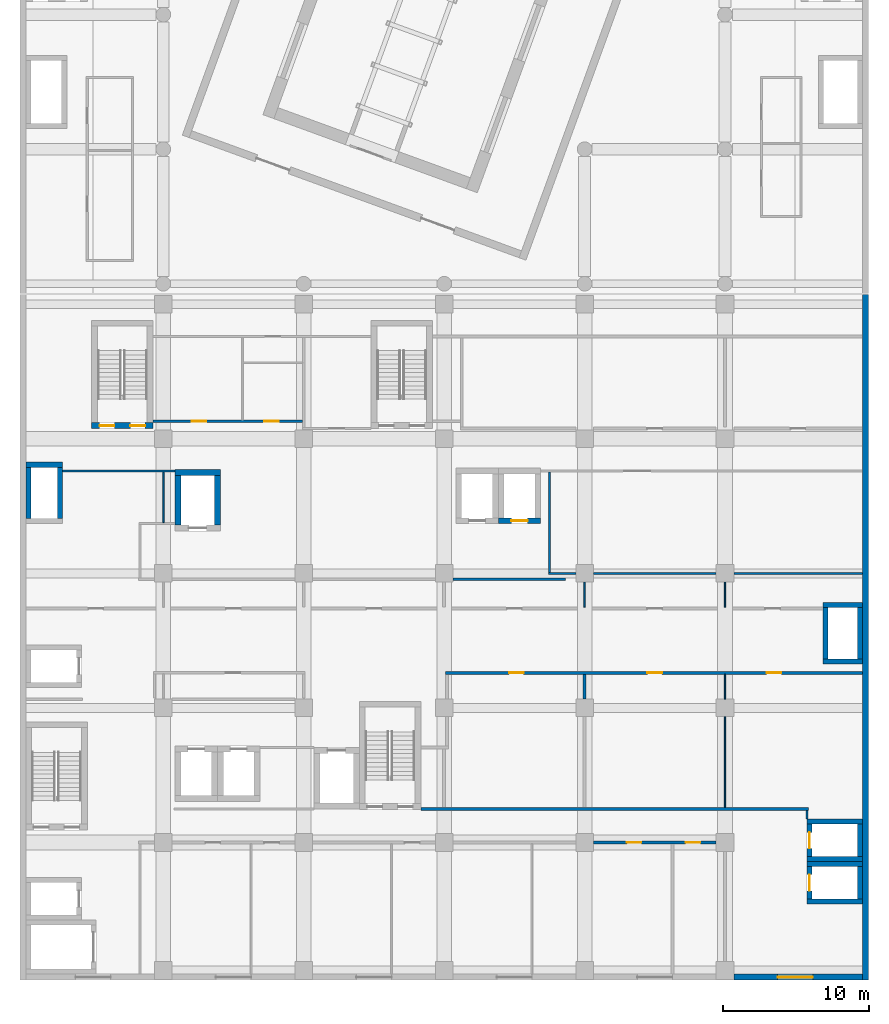
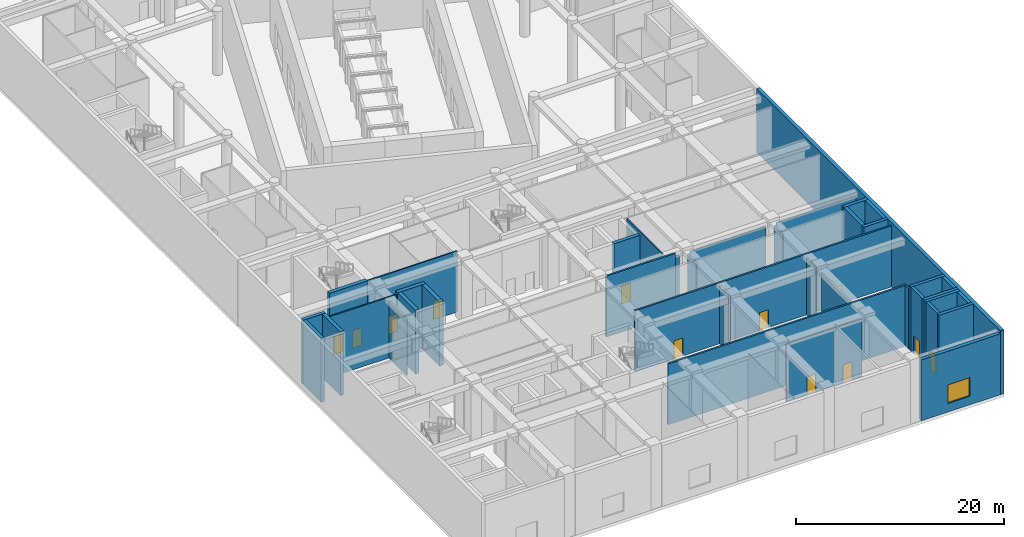
# One storey, part 15 of 36: 39 walls, 12 doors, 1 window, 13 openings.
"""IFC4 building model written with IfcOpenShell, lengths in metres."""

from ifc_helpers import new_model, si_unit, direction, frame, frame_2d, origin, place, context, subcontext, project, spatial, rectangle, extrude, material, layer, layer_set, layer_usage, type_object, element, fill, save


model = new_model("IFC4")

# Units and contexts
model_context = context("Model", 3, precision=1e-05, world=origin(), true_north=direction((0.0, 1.0)))
body_context = subcontext(model_context, "Body", "Model", "MODEL_VIEW")
ifc_project = project(units=[si_unit("LENGTHUNIT", "METRE"), si_unit("AREAUNIT", "SQUARE_METRE"), si_unit("VOLUMEUNIT", "CUBIC_METRE"), si_unit("PLANEANGLEUNIT", "RADIAN"), si_unit("MASSUNIT", "GRAM", prefix="KILO")], contexts=[model_context])

# Site, building, storey
site_placement = place(None, origin())
site = spatial("IfcSite", under=ifc_project, at=site_placement, CompositionType="ELEMENT")
building_placement = place(site_placement, origin())
building = spatial("IfcBuilding", under=site, at=building_placement, Name="Nzadi Deep Aquarium and Research Tower", CompositionType="ELEMENT")
storey_placement = place(building_placement, frame((0.0, 0.0, 14.199951171875)))
storey = spatial("IfcBuildingStorey", under=building, at=storey_placement, Name="L02", CompositionType="ELEMENT", Elevation=14.199951171875)

# Walls
ifc_material_1 = material(Name="Blockwork masonry", Category="masonry")
ifc_layer_1 = layer(ifc_material_1, 0.10009765625)
ifc_layer_set_1 = layer_set([ifc_layer_1], Name="Blockwork masonry")
wall_type_1 = type_object("IfcWallType", Name="Partition 100 EI 30", PredefinedType="PARTITIONING", material=ifc_layer_set_1)
wall_1_placement = place(storey_placement, frame((9.60009765625, 31.074951171875, 0.0), z_axis=(0.0, 0.0, 1.0), x_axis=(0.0, 1.0, 0.0)))
element("IfcWall", 1, at=wall_1_placement, inside=storey, type_object=wall_type_1, Name="W-Z1-L02-P015", PredefinedType="PARTITIONING", context=body_context, shape_type="SweptSolid", body=[
    extrude(rectangle(XDim=3.449951171875, YDim=0.10009765625, at=frame_2d((1.72509765625, 0.0))), origin(), (0.0, 0.0, 1.0), 6.75),
])
wall_2_placement = place(storey_placement, frame((38.39990234375, 25.300048828125, 0.0), z_axis=(0.0, 0.0, 1.0), x_axis=(0.0, 1.0, 0.0)))
element("IfcWall", 2, at=wall_2_placement, inside=storey, type_object=wall_type_1, Name="W-Z1-L02-P050", PredefinedType="PARTITIONING", context=body_context, shape_type="SweptSolid", body=[
    extrude(rectangle(XDim=1.699951171875, YDim=0.10009765625, at=frame_2d((0.85009765625, 0.0))), origin(), (0.0, 0.0, 1.0), 6.75),
])
wall_3_placement = place(storey_placement, frame((48.0, 11.60009765625, 0.0), z_axis=(0.0, 0.0, 1.0), x_axis=(0.0, 1.0, 0.0)))
element("IfcWall", 3, at=wall_3_placement, inside=storey, type_object=wall_type_1, Name="W-Z1-L02-P057", PredefinedType="PARTITIONING", context=body_context, shape_type="SweptSolid", body=[
    extrude(rectangle(XDim=6.199951171875, YDim=0.10009765625, at=frame_2d((3.10009765625, 0.0))), origin(), (0.0, 0.0, 1.0), 6.75),
])
for number, where, z_axis, x_axis, name in (
    (4, (48.0, 19.0, 0.0), (0.0, 0.0, 1.0), (0.0, 1.0, 0.0), "W-Z1-L02-P058"),
    (5, (48.0, 25.300048828125, 0.0), (0.0, 0.0, 1.0), (0.0, 1.0, 0.0), "W-Z1-L02-P059"),
):
    element("IfcWall", number, at=place(storey_placement, frame(where, z_axis=z_axis, x_axis=x_axis)), inside=storey, type_object=wall_type_1, Name=name, PredefinedType="PARTITIONING", context=body_context, shape_type="SweptSolid", body=[
        extrude(rectangle(XDim=1.699951171875, YDim=0.10009765625, at=frame_2d((0.85009765625, 0.0))), origin(), (0.0, 0.0, 1.0), 6.75),
    ])
ifc_material_2 = material(Name="Blockwork masonry", Category="masonry")
ifc_layer_2 = layer(ifc_material_2, 0.14990234375)
ifc_layer_set_2 = layer_set([ifc_layer_2], Name="Blockwork masonry")
wall_type_2 = type_object("IfcWallType", Name="Partition 150 EI 60", PredefinedType="PARTITIONING", material=ifc_layer_set_2)
wall_4_placement = place(storey_placement, frame((2.7060546875, 34.60009765625, 0.0), z_axis=(0.0, 0.0, 1.0), x_axis=(1.0, 0.0, 0.0)))
element("IfcWall", 6, at=wall_4_placement, inside=storey, type_object=wall_type_2, Name="W-Z1-L02-P003", PredefinedType="PARTITIONING", context=body_context, shape_type="SweptSolid", body=[
    extrude(rectangle(XDim=7.68798828125, YDim=0.14990234375, at=frame_2d((3.843994140625, 0.0))), origin(), (0.0, 0.0, 1.0), 7.150146484375),
])

# Wall, openings, doors
wall_5_placement = place(storey_placement, frame((8.906005859375, 38.0, 0.0), z_axis=(0.0, 0.0, 1.0), x_axis=(1.0, 0.0, 0.0)))
wall_5 = element("IfcWall", 7, at=wall_5_placement, inside=storey, type_object=wall_type_2, Name="W-Z1-L02-P009", PredefinedType="PARTITIONING", context=body_context, shape_type="SweptSolid", body=[
    extrude(rectangle(XDim=10.218994140625, YDim=0.14990234375, at=frame_2d((5.109375, 0.0))), origin(), (0.0, 0.0, 1.0), 7.150146484375),
])
opening_1_placement = place(wall_5_placement, frame((2.6201171875, 0.0, 0.0)))
opening_1 = element("IfcOpeningElement", 8, at=opening_1_placement, cuts=wall_5, Name="Opening D031019", PredefinedType="OPENING", context=body_context, shape_type="SweptSolid", body=[
    extrude(rectangle(XDim=1.0, YDim=2.10009765625, at=frame_2d((0.5, 1.050048828125))), frame((0.0, 0.0849609375, 0.0), z_axis=(0.0, -1.0, 0.0), x_axis=(1.0, 0.0, 0.0)), (0.0, 0.0, 1.0), 0.169921875),
])
opening_2_placement = place(wall_5_placement, frame((7.583984375, 0.0, 0.0)))
opening_2 = element("IfcOpeningElement", 9, at=opening_2_placement, cuts=wall_5, Name="Opening D031020", PredefinedType="OPENING", context=body_context, shape_type="SweptSolid", body=[
    extrude(rectangle(XDim=1.0, YDim=2.10009765625, at=frame_2d((0.5, 1.050048828125))), frame((0.0, 0.0849609375, 0.0), z_axis=(0.0, -1.0, 0.0), x_axis=(1.0, 0.0, 0.0)), (0.0, 0.0, 1.0), 0.169921875),
])
ifc_material_3 = material(Name="Fire-rated steel door", Category="steel")
ifc_layer_3 = layer(ifc_material_3, 0.050048828125)
ifc_layer_set_3 = layer_set([ifc_layer_3], Name="Fire-rated steel door")
door_type_1 = type_object("IfcDoorType", Name="Door 1000x2100 EI 60 single", OperationType="SINGLE_SWING_LEFT", PredefinedType="DOOR", material=ifc_layer_set_3)
door_1_placement = place(opening_1_placement, origin())
door_1 = element("IfcDoor", 10, at=door_1_placement, inside=storey, type_object=door_type_1, Name="D031019", OperationType="SINGLE_SWING_LEFT", OverallHeight=2.10009765625, OverallWidth=1.0, PredefinedType="DOOR", context=body_context, shape_type="SweptSolid", body=[
    extrude(rectangle(XDim=1.0, YDim=2.10009765625, at=frame_2d((0.5, 1.050048828125))), frame((0.0, 0.02490234375, 0.0), z_axis=(0.0, -1.0, 0.0), x_axis=(1.0, 0.0, 0.0)), (0.0, 0.0, 1.0), 0.050048828125),
])
fill(opening_1, door_1)
door_2_placement = place(opening_2_placement, origin())
door_2 = element("IfcDoor", 11, at=door_2_placement, inside=storey, type_object=door_type_1, Name="D031020", OperationType="SINGLE_SWING_RIGHT", OverallHeight=2.10009765625, OverallWidth=1.0, PredefinedType="DOOR", context=body_context, shape_type="SweptSolid", body=[
    extrude(rectangle(XDim=1.0, YDim=2.10009765625, at=frame_2d((0.5, 1.050048828125))), frame((0.0, 0.02490234375, 0.0), z_axis=(0.0, -1.0, 0.0), x_axis=(1.0, 0.0, 0.0)), (0.0, 0.0, 1.0), 0.050048828125),
])
fill(opening_2, door_2)

# Walls
wall_6_placement = place(storey_placement, frame((36.0, 27.675048828125, 0.0), z_axis=(0.0, 0.0, 1.0), x_axis=(0.0, 1.0, 0.0)))
element("IfcWall", 12, at=wall_6_placement, inside=storey, type_object=wall_type_2, Name="W-Z1-L02-P047", PredefinedType="PARTITIONING", context=body_context, shape_type="SweptSolid", body=[
    extrude(rectangle(XDim=6.849853515625, YDim=0.14990234375, at=frame_2d((3.4248046875, 0.0))), origin(), (0.0, 0.0, 1.0), 7.150146484375),
])
wall_7_placement = place(storey_placement, frame((53.60009765625, 10.805908203125, 0.0), z_axis=(0.0, 0.0, 1.0), x_axis=(0.0, 1.0, 0.0)))
element("IfcWall", 13, at=wall_7_placement, inside=storey, type_object=wall_type_2, Name="W-Z1-L02-P062", PredefinedType="PARTITIONING", context=body_context, shape_type="SweptSolid", body=[
    extrude(rectangle(XDim=0.593994140625, YDim=0.14990234375, at=frame_2d((0.296875, 0.0))), origin(), (0.0, 0.0, 1.0), 7.150146484375),
])
ifc_material_4 = material(Name="Blockwork masonry", Category="masonry")
ifc_layer_4 = layer(ifc_material_4, 0.14990234375)
ifc_layer_set_4 = layer_set([ifc_layer_4], Name="Blockwork masonry")
wall_type_3 = type_object("IfcWallType", Name="Partition 150 EI 60, 6.45 m high", PredefinedType="PARTITIONING", material=ifc_layer_set_4)
wall_8_placement = place(storey_placement, frame((35.925048828125, 27.60009765625, 0.0), z_axis=(0.0, 0.0, 1.0), x_axis=(1.0, 0.0, 0.0)))
element("IfcWall", 14, at=wall_8_placement, inside=storey, type_object=wall_type_3, Name="W-Z1-L02-P046", PredefinedType="PARTITIONING", context=body_context, shape_type="SweptSolid", body=[
    extrude(rectangle(XDim=1.875, YDim=0.14990234375, at=frame_2d((0.9375, 0.0))), origin(), (0.0, 0.0, 1.0), 6.449951171875),
])
wall_9_placement = place(storey_placement, frame((39.0, 27.60009765625, 0.0), z_axis=(0.0, 0.0, 1.0), x_axis=(1.0, 0.0, 0.0)))
element("IfcWall", 15, at=wall_9_placement, inside=storey, type_object=wall_type_3, Name="W-Z1-L02-P052", PredefinedType="PARTITIONING", context=body_context, shape_type="SweptSolid", body=[
    extrude(rectangle(XDim=8.39990234375, YDim=0.14990234375, at=frame_2d((4.199951171875, 0.0))), origin(), (0.0, 0.0, 1.0), 6.449951171875),
])
wall_10_placement = place(storey_placement, frame((48.60009765625, 27.60009765625, 0.0), z_axis=(0.0, 0.0, 1.0), x_axis=(1.0, 0.0, 0.0)))
element("IfcWall", 16, at=wall_10_placement, inside=storey, type_object=wall_type_3, Name="W-Z1-L02-P060", PredefinedType="PARTITIONING", context=body_context, shape_type="SweptSolid", body=[
    extrude(rectangle(XDim=8.7939453125, YDim=0.14990234375, at=frame_2d((4.39697265625, 0.0))), origin(), (0.0, 0.0, 1.0), 6.449951171875),
])
ifc_material_5 = material(Name="Blockwork masonry", Category="masonry")
ifc_layer_5 = layer(ifc_material_5, 0.199951171875)
ifc_layer_set_5 = layer_set([ifc_layer_5], Name="Blockwork masonry")
wall_type_4 = type_object("IfcWallType", Name="Partition 200 EI 120", PredefinedType="PARTITIONING", material=ifc_layer_set_5)
wall_11_placement = place(storey_placement, frame((27.2060546875, 11.5, 0.0), z_axis=(0.0, 0.0, 1.0), x_axis=(1.0, 0.0, 0.0)))
element("IfcWall", 17, at=wall_11_placement, inside=storey, type_object=wall_type_4, Name="W-Z1-L02-P031", PredefinedType="PARTITIONING", context=body_context, shape_type="SweptSolid", body=[
    extrude(rectangle(XDim=26.493896484375, YDim=0.199951171875, at=frame_2d((13.2470703125, 0.0))), origin(), (0.0, 0.0, 1.0), 7.150146484375),
])

# Wall, openings, doors
wall_12_placement = place(storey_placement, frame((28.89990234375, 20.800048828125, 0.0), z_axis=(0.0, 0.0, 1.0), x_axis=(1.0, 0.0, 0.0)))
wall_12 = element("IfcWall", 18, at=wall_12_placement, inside=storey, type_object=wall_type_4, Name="W-Z1-L02-P039", PredefinedType="PARTITIONING", context=body_context, shape_type="SweptSolid", body=[
    extrude(rectangle(XDim=28.494140625, YDim=0.199951171875, at=frame_2d((14.2470703125, 0.0))), origin(), (0.0, 0.0, 1.0), 7.150146484375),
])
opening_3_placement = place(wall_12_placement, frame((4.3349609375, 0.0, 0.0)))
opening_3 = element("IfcOpeningElement", 19, at=opening_3_placement, cuts=wall_12, Name="Opening D031002", PredefinedType="OPENING", context=body_context, shape_type="SweptSolid", body=[
    extrude(rectangle(XDim=1.0, YDim=2.10009765625, at=frame_2d((0.5, 1.050048828125))), frame((0.0, 0.110107421875, 0.0), z_axis=(0.0, -1.0, 0.0), x_axis=(1.0, 0.0, 0.0)), (0.0, 0.0, 1.0), 0.22021484375),
])
opening_4_placement = place(wall_12_placement, frame((13.800048828125, 0.0, 0.0)))
opening_4 = element("IfcOpeningElement", 20, at=opening_4_placement, cuts=wall_12, Name="Opening D031003", PredefinedType="OPENING", context=body_context, shape_type="SweptSolid", body=[
    extrude(rectangle(XDim=1.0, YDim=2.10009765625, at=frame_2d((0.5, 1.050048828125))), frame((0.0, 0.110107421875, 0.0), z_axis=(0.0, -1.0, 0.0), x_axis=(1.0, 0.0, 0.0)), (0.0, 0.0, 1.0), 0.22021484375),
])
opening_5_placement = place(wall_12_placement, frame((21.949951171875, 0.0, 0.0)))
opening_5 = element("IfcOpeningElement", 21, at=opening_5_placement, cuts=wall_12, Name="Opening D031004", PredefinedType="OPENING", context=body_context, shape_type="SweptSolid", body=[
    extrude(rectangle(XDim=1.0, YDim=2.10009765625, at=frame_2d((0.5, 1.050048828125))), frame((0.0, 0.110107421875, 0.0), z_axis=(0.0, -1.0, 0.0), x_axis=(1.0, 0.0, 0.0)), (0.0, 0.0, 1.0), 0.22021484375),
])
ifc_material_6 = material(Name="Fire-rated steel door", Category="steel")
ifc_layer_6 = layer(ifc_material_6, 0.050048828125)
ifc_layer_set_6 = layer_set([ifc_layer_6], Name="Fire-rated steel door")
door_type_2 = type_object("IfcDoorType", Name="Door 1000x2100 EI 120 single", OperationType="SINGLE_SWING_LEFT", PredefinedType="DOOR", material=ifc_layer_set_6)
door_3_placement = place(opening_3_placement, origin())
door_3 = element("IfcDoor", 22, at=door_3_placement, inside=storey, type_object=door_type_2, Name="D031002", OperationType="SINGLE_SWING_LEFT", OverallHeight=2.10009765625, OverallWidth=1.0, PredefinedType="DOOR", context=body_context, shape_type="SweptSolid", body=[
    extrude(rectangle(XDim=1.0, YDim=2.10009765625, at=frame_2d((0.5, 1.050048828125))), frame((0.0, 0.02490234375, 0.0), z_axis=(0.0, -1.0, 0.0), x_axis=(1.0, 0.0, 0.0)), (0.0, 0.0, 1.0), 0.050048828125),
])
fill(opening_3, door_3)
door_4_placement = place(opening_4_placement, origin())
door_4 = element("IfcDoor", 23, at=door_4_placement, inside=storey, type_object=door_type_2, Name="D031003", OperationType="SINGLE_SWING_LEFT", OverallHeight=2.10009765625, OverallWidth=1.0, PredefinedType="DOOR", context=body_context, shape_type="SweptSolid", body=[
    extrude(rectangle(XDim=1.0, YDim=2.10009765625, at=frame_2d((0.5, 1.050048828125))), frame((0.0, 0.02490234375, 0.0), z_axis=(0.0, -1.0, 0.0), x_axis=(1.0, 0.0, 0.0)), (0.0, 0.0, 1.0), 0.050048828125),
])
fill(opening_4, door_4)
door_5_placement = place(opening_5_placement, origin())
door_5 = element("IfcDoor", 24, at=door_5_placement, inside=storey, type_object=door_type_2, Name="D031004", OperationType="SINGLE_SWING_LEFT", OverallHeight=2.10009765625, OverallWidth=1.0, PredefinedType="DOOR", context=body_context, shape_type="SweptSolid", body=[
    extrude(rectangle(XDim=1.0, YDim=2.10009765625, at=frame_2d((0.5, 1.050048828125))), frame((0.0, 0.02490234375, 0.0), z_axis=(0.0, -1.0, 0.0), x_axis=(1.0, 0.0, 0.0)), (0.0, 0.0, 1.0), 0.050048828125),
])
fill(opening_5, door_5)

# Walls
wall_13_placement = place(storey_placement, frame((29.39990234375, 27.199951171875, 0.0), z_axis=(0.0, 0.0, 1.0), x_axis=(1.0, 0.0, 0.0)))
element("IfcWall", 25, at=wall_13_placement, inside=storey, type_object=wall_type_4, Name="W-Z1-L02-P041", PredefinedType="PARTITIONING", context=body_context, shape_type="SweptSolid", body=[
    extrude(rectangle(XDim=7.7001953125, YDim=0.199951171875, at=frame_2d((3.85009765625, 0.0))), origin(), (0.0, 0.0, 1.0), 7.150146484375),
])
ifc_material_7 = material(Name="Blockwork masonry", Category="masonry")
ifc_layer_7 = layer(ifc_material_7, 0.199951171875)
ifc_layer_set_7 = layer_set([ifc_layer_7], Name="Blockwork masonry")
wall_type_5 = type_object("IfcWallType", Name="Partition 200 EI 120, 6.75 m high", PredefinedType="PARTITIONING", material=ifc_layer_set_7)
wall_14_placement = place(storey_placement, frame((38.39990234375, 19.0, 0.0), z_axis=(0.0, 0.0, 1.0), x_axis=(0.0, 1.0, 0.0)))
element("IfcWall", 26, at=wall_14_placement, inside=storey, type_object=wall_type_5, Name="W-Z1-L02-P049", PredefinedType="PARTITIONING", context=body_context, shape_type="SweptSolid", body=[
    extrude(rectangle(XDim=1.699951171875, YDim=0.199951171875, at=frame_2d((0.85009765625, 0.0))), origin(), (0.0, 0.0, 1.0), 6.75),
])

# Wall, openings, doors
wall_15_placement = place(storey_placement, frame((39.0, 9.199951171875, 0.0), z_axis=(0.0, 0.0, 1.0), x_axis=(1.0, 0.0, 0.0)))
wall_15 = element("IfcWall", 27, at=wall_15_placement, inside=storey, type_object=wall_type_5, Name="W-Z1-L02-P051", PredefinedType="PARTITIONING", context=body_context, shape_type="SweptSolid", body=[
    extrude(rectangle(XDim=8.39990234375, YDim=0.199951171875, at=frame_2d((4.199951171875, 0.0))), origin(), (0.0, 0.0, 1.0), 6.75),
])
opening_6_placement = place(wall_15_placement, frame((2.284912109375, 0.0, 0.0)))
opening_6 = element("IfcOpeningElement", 28, at=opening_6_placement, cuts=wall_15, Name="Opening D031014", PredefinedType="OPENING", context=body_context, shape_type="SweptSolid", body=[
    extrude(rectangle(XDim=1.0, YDim=2.10009765625, at=frame_2d((0.5, 1.050048828125))), frame((0.0, 0.110107421875, 0.0), z_axis=(0.0, -1.0, 0.0), x_axis=(1.0, 0.0, 0.0)), (0.0, 0.0, 1.0), 0.22021484375),
])
opening_7_placement = place(wall_15_placement, frame((6.31494140625, 0.0, 0.0)))
opening_7 = element("IfcOpeningElement", 29, at=opening_7_placement, cuts=wall_15, Name="Opening D031015", PredefinedType="OPENING", context=body_context, shape_type="SweptSolid", body=[
    extrude(rectangle(XDim=1.0, YDim=2.10009765625, at=frame_2d((0.5, 1.050048828125))), frame((0.0, 0.110107421875, 0.0), z_axis=(0.0, -1.0, 0.0), x_axis=(1.0, 0.0, 0.0)), (0.0, 0.0, 1.0), 0.22021484375),
])
door_6_placement = place(opening_6_placement, origin())
door_6 = element("IfcDoor", 30, at=door_6_placement, inside=storey, type_object=door_type_2, Name="D031014", OperationType="SINGLE_SWING_RIGHT", OverallHeight=2.10009765625, OverallWidth=1.0, PredefinedType="DOOR", context=body_context, shape_type="SweptSolid", body=[
    extrude(rectangle(XDim=1.0, YDim=2.10009765625, at=frame_2d((0.5, 1.050048828125))), frame((0.0, 0.02490234375, 0.0), z_axis=(0.0, -1.0, 0.0), x_axis=(1.0, 0.0, 0.0)), (0.0, 0.0, 1.0), 0.050048828125),
])
fill(opening_6, door_6)
door_7_placement = place(opening_7_placement, origin())
door_7 = element("IfcDoor", 31, at=door_7_placement, inside=storey, type_object=door_type_2, Name="D031015", OperationType="SINGLE_SWING_RIGHT", OverallHeight=2.10009765625, OverallWidth=1.0, PredefinedType="DOOR", context=body_context, shape_type="SweptSolid", body=[
    extrude(rectangle(XDim=1.0, YDim=2.10009765625, at=frame_2d((0.5, 1.050048828125))), frame((0.0, 0.02490234375, 0.0), z_axis=(0.0, -1.0, 0.0), x_axis=(1.0, 0.0, 0.0)), (0.0, 0.0, 1.0), 0.050048828125),
])
fill(opening_7, door_7)

# Walls
ifc_material_8 = material(Name="Concrete C35/45", Category="concrete")
ifc_layer_8 = layer(ifc_material_8, 0.35009765625)
ifc_layer_set_8 = layer_set([ifc_layer_8], Name="Concrete C35/45")
wall_type_6 = type_object("IfcWallType", Name="RC core wall 350, 7.50 to 7.70 m high", PredefinedType="SHEAR", material=ifc_layer_set_8)
for number, where, z_axis, x_axis, name in (
    (32, (53.60009765625, 5.175048828125, 0.0), (0.0, 0.0, 1.0), (1.0, 0.0, 0.0), "W-CORE-EL2-L02-S"),
    (33, (53.60009765625, 7.72509765625, 0.0), (0.0, 0.0, 1.0), (1.0, 0.0, 0.0), "W-CORE-EL2-L02-N"),
):
    element("IfcWall", number, at=place(storey_placement, frame(where, z_axis=z_axis, x_axis=x_axis)), inside=storey, type_object=wall_type_6, Name=name, PredefinedType="SHEAR", context=body_context, shape_type="SweptSolid", body=[
        extrude(rectangle(XDim=3.7998046875, YDim=0.35009765625, at=frame_2d((1.89990234375, 0.0))), origin(), (0.0, 0.0, 1.0), 7.5),
    ])

# Wall, opening, door
wall_16_placement = place(storey_placement, frame((53.77490234375, 5.35009765625, 0.0), z_axis=(0.0, 0.0, 1.0), x_axis=(0.0, 1.0, 0.0)))
wall_16 = element("IfcWall", 34, at=wall_16_placement, inside=storey, type_object=wall_type_6, Name="W-CORE-EL2-L02-W", PredefinedType="SHEAR", context=body_context, shape_type="SweptSolid", body=[
    extrude(rectangle(XDim=2.199951171875, YDim=0.35009765625, at=frame_2d((1.10009765625, 0.0))), origin(), (0.0, 0.0, 1.0), 7.5),
])
opening_8_placement = place(wall_16_placement, frame((0.550048828125, 0.0, 0.0)))
opening_8 = element("IfcOpeningElement", 35, at=opening_8_placement, cuts=wall_16, Name="Opening LD-EL2-L02", PredefinedType="OPENING", context=body_context, shape_type="SweptSolid", body=[
    extrude(rectangle(XDim=1.10009765625, YDim=2.10009765625, at=frame_2d((0.550048828125, 1.050048828125))), frame((0.0, 0.18505859375, 0.0), z_axis=(0.0, -1.0, 0.0), x_axis=(1.0, 0.0, 0.0)), (0.0, 0.0, 1.0), 0.3701171875),
])
ifc_material_9 = material(Name="Stainless steel 1.4301", Category="steel")
door_type_3 = type_object("IfcDoorType", Name="LANDING DOOR 1100x2100", OperationType="DOUBLE_DOOR_SLIDING", PredefinedType="DOOR", material=ifc_material_9)
door_8_placement = place(opening_8_placement, origin())
door_8 = element("IfcDoor", 36, at=door_8_placement, inside=storey, type_object=door_type_3, Name="Landing door EL2 L02", OperationType="DOUBLE_DOOR_SLIDING", OverallHeight=2.10009765625, OverallWidth=1.10009765625, PredefinedType="DOOR", context=body_context, shape_type="SweptSolid", body=[
    extrude(rectangle(XDim=1.10009765625, YDim=2.10009765625, at=frame_2d((0.550048828125, 1.050048828125))), frame((0.0, 0.02490234375, 0.0), z_axis=(0.0, -1.0, 0.0), x_axis=(1.0, 0.0, 0.0)), (0.0, 0.0, 1.0), 0.050048828125),
])
fill(opening_8, door_8)

# Walls
wall_17_placement = place(storey_placement, frame((57.22509765625, 5.35009765625, 0.0), z_axis=(0.0, 0.0, 1.0), x_axis=(0.0, 1.0, 0.0)))
element("IfcWall", 37, at=wall_17_placement, inside=storey, type_object=wall_type_6, Name="W-CORE-EL2-L02-E", PredefinedType="SHEAR", context=body_context, shape_type="SweptSolid", body=[
    extrude(rectangle(XDim=2.199951171875, YDim=0.35009765625, at=frame_2d((1.10009765625, 0.0))), origin(), (0.0, 0.0, 1.0), 7.5),
])
for number, where, z_axis, x_axis, name in (
    (38, (53.60009765625, 8.074951171875, 0.0), (0.0, 0.0, 1.0), (1.0, 0.0, 0.0), "W-CORE-PL2-L02-S"),
    (39, (53.60009765625, 10.625, 0.0), (0.0, 0.0, 1.0), (1.0, 0.0, 0.0), "W-CORE-PL2-L02-N"),
):
    element("IfcWall", number, at=place(storey_placement, frame(where, z_axis=z_axis, x_axis=x_axis)), inside=storey, type_object=wall_type_6, Name=name, PredefinedType="SHEAR", context=body_context, shape_type="SweptSolid", body=[
        extrude(rectangle(XDim=3.7998046875, YDim=0.35009765625, at=frame_2d((1.89990234375, 0.0))), origin(), (0.0, 0.0, 1.0), 7.5),
    ])

# Wall, opening, door
wall_18_placement = place(storey_placement, frame((53.77490234375, 8.25, 0.0), z_axis=(0.0, 0.0, 1.0), x_axis=(0.0, 1.0, 0.0)))
wall_18 = element("IfcWall", 40, at=wall_18_placement, inside=storey, type_object=wall_type_6, Name="W-CORE-PL2-L02-W", PredefinedType="SHEAR", context=body_context, shape_type="SweptSolid", body=[
    extrude(rectangle(XDim=2.199951171875, YDim=0.35009765625, at=frame_2d((1.10009765625, 0.0))), origin(), (0.0, 0.0, 1.0), 7.5),
])
opening_9_placement = place(wall_18_placement, frame((0.550048828125, 0.0, 0.0)))
opening_9 = element("IfcOpeningElement", 41, at=opening_9_placement, cuts=wall_18, Name="Opening LD-PL2-L02", PredefinedType="OPENING", context=body_context, shape_type="SweptSolid", body=[
    extrude(rectangle(XDim=1.10009765625, YDim=2.10009765625, at=frame_2d((0.550048828125, 1.050048828125))), frame((0.0, 0.18505859375, 0.0), z_axis=(0.0, -1.0, 0.0), x_axis=(1.0, 0.0, 0.0)), (0.0, 0.0, 1.0), 0.3701171875),
])
door_9_placement = place(opening_9_placement, origin())
door_9 = element("IfcDoor", 42, at=door_9_placement, inside=storey, type_object=door_type_3, Name="Landing door PL2 L02", OperationType="DOUBLE_DOOR_SLIDING", OverallHeight=2.10009765625, OverallWidth=1.10009765625, PredefinedType="DOOR", context=body_context, shape_type="SweptSolid", body=[
    extrude(rectangle(XDim=1.10009765625, YDim=2.10009765625, at=frame_2d((0.550048828125, 1.050048828125))), frame((0.0, 0.02490234375, 0.0), z_axis=(0.0, -1.0, 0.0), x_axis=(1.0, 0.0, 0.0)), (0.0, 0.0, 1.0), 0.050048828125),
])
fill(opening_9, door_9)

# Walls
wall_19_placement = place(storey_placement, frame((57.22509765625, 8.25, 0.0), z_axis=(0.0, 0.0, 1.0), x_axis=(0.0, 1.0, 0.0)))
element("IfcWall", 43, at=wall_19_placement, inside=storey, type_object=wall_type_6, Name="W-CORE-PL2-L02-E", PredefinedType="SHEAR", context=body_context, shape_type="SweptSolid", body=[
    extrude(rectangle(XDim=2.199951171875, YDim=0.35009765625, at=frame_2d((1.10009765625, 0.0))), origin(), (0.0, 0.0, 1.0), 7.5),
])
wall_20_placement = place(storey_placement, frame((0.199951171875, 35.02490234375, 0.0), z_axis=(0.0, 0.0, 1.0), x_axis=(1.0, 0.0, 0.0)))
element("IfcWall", 44, at=wall_20_placement, inside=storey, type_object=wall_type_6, Name="W-CORE-RS-Z1-W-L02-N", PredefinedType="SHEAR", context=body_context, shape_type="SweptSolid", body=[
    extrude(rectangle(XDim=2.5, YDim=0.35009765625, at=frame_2d((1.25, 0.0))), origin(), (0.0, 0.0, 1.0), 7.5),
])
for number, where, z_axis, x_axis, name in (
    (45, (0.375, 31.35009765625, 0.0), (0.0, 0.0, 1.0), (0.0, 1.0, 0.0), "W-CORE-RS-Z1-W-L02-W"),
    (46, (2.52490234375, 31.35009765625, 0.0), (0.0, 0.0, 1.0), (0.0, 1.0, 0.0), "W-CORE-RS-Z1-W-L02-E"),
):
    element("IfcWall", number, at=place(storey_placement, frame(where, z_axis=z_axis, x_axis=x_axis)), inside=storey, type_object=wall_type_6, Name=name, PredefinedType="SHEAR", context=body_context, shape_type="SweptSolid", body=[
        extrude(rectangle(XDim=3.5, YDim=0.35009765625, at=frame_2d((1.75, 0.0))), origin(), (0.0, 0.0, 1.0), 7.5),
    ])
for number, where, z_axis, x_axis, name in (
    (47, (54.699951171875, 21.574951171875, 0.0), (0.0, 0.0, 1.0), (1.0, 0.0, 0.0), "W-CORE-RS-Z1-E-L02-S"),
    (48, (54.699951171875, 25.425048828125, 0.0), (0.0, 0.0, 1.0), (1.0, 0.0, 0.0), "W-CORE-RS-Z1-E-L02-N"),
):
    element("IfcWall", number, at=place(storey_placement, frame(where, z_axis=z_axis, x_axis=x_axis)), inside=storey, type_object=wall_type_6, Name=name, PredefinedType="SHEAR", context=body_context, shape_type="SweptSolid", body=[
        extrude(rectangle(XDim=2.699951171875, YDim=0.35009765625, at=frame_2d((1.35009765625, 0.0))), origin(), (0.0, 0.0, 1.0), 7.5),
    ])
for number, where, z_axis, x_axis, name in (
    (49, (54.875, 21.75, 0.0), (0.0, 0.0, 1.0), (0.0, 1.0, 0.0), "W-CORE-RS-Z1-E-L02-W"),
    (50, (57.22509765625, 21.75, 0.0), (0.0, 0.0, 1.0), (0.0, 1.0, 0.0), "W-CORE-RS-Z1-E-L02-E"),
):
    element("IfcWall", number, at=place(storey_placement, frame(where, z_axis=z_axis, x_axis=x_axis)), inside=storey, type_object=wall_type_6, Name=name, PredefinedType="SHEAR", context=body_context, shape_type="SweptSolid", body=[
        extrude(rectangle(XDim=3.5, YDim=0.35009765625, at=frame_2d((1.75, 0.0))), origin(), (0.0, 0.0, 1.0), 7.5),
    ])

# Wall, openings, doors
ifc_material_10 = material(Name="Concrete C35/45", Category="concrete")
ifc_layer_9 = layer(ifc_material_10, 0.39990234375)
ifc_layer_set_9 = layer_set([ifc_layer_9], Name="Concrete C35/45")
wall_type_7 = type_object("IfcWallType", Name="RC core wall 400, 7.50 to 7.70 m high", PredefinedType="SHEAR", material=ifc_layer_set_9)
wall_21_placement = place(storey_placement, frame((4.699951171875, 37.699951171875, 0.0), z_axis=(0.0, 0.0, 1.0), x_axis=(1.0, 0.0, 0.0)))
wall_21 = element("IfcWall", 51, at=wall_21_placement, inside=storey, type_object=wall_type_7, Name="W-CORE-ST-Z1-NW-L02-S", PredefinedType="SHEAR", context=body_context, shape_type="SweptSolid", body=[
    extrude(rectangle(XDim=4.199951171875, YDim=0.39990234375, at=frame_2d((2.10009765625, 0.0))), origin(), (0.0, 0.0, 1.0), 7.5),
])
opening_10_placement = place(wall_21_placement, frame((0.550048828125, 0.0, 0.0)))
opening_10 = element("IfcOpeningElement", 52, at=opening_10_placement, cuts=wall_21, Name="Opening DS-Z1-NW-L02A", PredefinedType="OPENING", context=body_context, shape_type="SweptSolid", body=[
    extrude(rectangle(XDim=1.0, YDim=2.10009765625, at=frame_2d((0.5, 1.050048828125))), frame((0.0, 0.2099609375, 0.0), z_axis=(0.0, -1.0, 0.0), x_axis=(1.0, 0.0, 0.0)), (0.0, 0.0, 1.0), 0.419921875),
])
opening_11_placement = place(wall_21_placement, frame((2.64990234375, 0.0, 0.0)))
opening_11 = element("IfcOpeningElement", 53, at=opening_11_placement, cuts=wall_21, Name="Opening DS-Z1-NW-L02B", PredefinedType="OPENING", context=body_context, shape_type="SweptSolid", body=[
    extrude(rectangle(XDim=1.0, YDim=2.10009765625, at=frame_2d((0.5, 1.050048828125))), frame((0.0, 0.2099609375, 0.0), z_axis=(0.0, -1.0, 0.0), x_axis=(1.0, 0.0, 0.0)), (0.0, 0.0, 1.0), 0.419921875),
])
ifc_material_11 = material(Name="Steel, powder coated", Category="steel")
door_type_4 = type_object("IfcDoorType", Name="STAIR DOOR 1000x2100 EI 60", OperationType="SINGLE_SWING_LEFT", PredefinedType="DOOR", material=ifc_material_11)
door_10_placement = place(opening_10_placement, origin())
door_10 = element("IfcDoor", 54, at=door_10_placement, inside=storey, type_object=door_type_4, Name="Stair door ST-Z1-NW L02 A", OperationType="SINGLE_SWING_RIGHT", OverallHeight=2.10009765625, OverallWidth=1.0, PredefinedType="DOOR", context=body_context, shape_type="SweptSolid", body=[
    extrude(rectangle(XDim=1.0, YDim=2.10009765625, at=frame_2d((0.5, 1.050048828125))), frame((0.0, 0.02490234375, 0.0), z_axis=(0.0, -1.0, 0.0), x_axis=(1.0, 0.0, 0.0)), (0.0, 0.0, 1.0), 0.050048828125),
])
fill(opening_10, door_10)
door_11_placement = place(opening_11_placement, origin())
door_11 = element("IfcDoor", 55, at=door_11_placement, inside=storey, type_object=door_type_4, Name="Stair door ST-Z1-NW L02 B", OperationType="SINGLE_SWING_LEFT", OverallHeight=2.10009765625, OverallWidth=1.0, PredefinedType="DOOR", context=body_context, shape_type="SweptSolid", body=[
    extrude(rectangle(XDim=1.0, YDim=2.10009765625, at=frame_2d((0.5, 1.050048828125))), frame((0.0, 0.02490234375, 0.0), z_axis=(0.0, -1.0, 0.0), x_axis=(1.0, 0.0, 0.0)), (0.0, 0.0, 1.0), 0.050048828125),
])
fill(opening_11, door_11)

# Walls
wall_22_placement = place(storey_placement, frame((10.39990234375, 34.5, 0.0), z_axis=(0.0, 0.0, 1.0), x_axis=(1.0, 0.0, 0.0)))
element("IfcWall", 56, at=wall_22_placement, inside=storey, type_object=wall_type_7, Name="W-CORE-FL2-L02-N", PredefinedType="SHEAR", context=body_context, shape_type="SweptSolid", body=[
    extrude(rectangle(XDim=3.10009765625, YDim=0.39990234375, at=frame_2d((1.550048828125, 0.0))), origin(), (0.0, 0.0, 1.0), 7.5),
])
for number, where, z_axis, x_axis, name in (
    (57, (10.60009765625, 30.89990234375, 0.0), (0.0, 0.0, 1.0), (0.0, 1.0, 0.0), "W-CORE-FL2-L02-W"),
    (58, (13.300048828125, 30.89990234375, 0.0), (0.0, 0.0, 1.0), (0.0, 1.0, 0.0), "W-CORE-FL2-L02-E"),
):
    element("IfcWall", number, at=place(storey_placement, frame(where, z_axis=z_axis, x_axis=x_axis)), inside=storey, type_object=wall_type_7, Name=name, PredefinedType="SHEAR", context=body_context, shape_type="SweptSolid", body=[
        extrude(rectangle(XDim=3.400146484375, YDim=0.39990234375, at=frame_2d((1.7001953125, 0.0))), origin(), (0.0, 0.0, 1.0), 7.5),
    ])

# Wall, opening, door
wall_23_placement = place(storey_placement, frame((32.5, 31.199951171875, 0.0), z_axis=(0.0, 0.0, 1.0), x_axis=(1.0, 0.0, 0.0)))
wall_23 = element("IfcWall", 59, at=wall_23_placement, inside=storey, type_object=wall_type_7, Name="W-CORE-TL4-L02-S", PredefinedType="SHEAR", context=body_context, shape_type="SweptSolid", body=[
    extrude(rectangle(XDim=2.89990234375, YDim=0.39990234375, at=frame_2d((1.449951171875, 0.0))), origin(), (0.0, 0.0, 1.0), 7.5),
])
opening_12_placement = place(wall_23_placement, frame((0.89990234375, 0.0, 0.0)))
opening_12 = element("IfcOpeningElement", 60, at=opening_12_placement, cuts=wall_23, Name="Opening LD-TL4-L02", PredefinedType="OPENING", context=body_context, shape_type="SweptSolid", body=[
    extrude(rectangle(XDim=1.10009765625, YDim=2.10009765625, at=frame_2d((0.550048828125, 1.050048828125))), frame((0.0, 0.2099609375, 0.0), z_axis=(0.0, -1.0, 0.0), x_axis=(1.0, 0.0, 0.0)), (0.0, 0.0, 1.0), 0.419921875),
])
door_12_placement = place(opening_12_placement, origin())
door_12 = element("IfcDoor", 61, at=door_12_placement, inside=storey, type_object=door_type_3, Name="Landing door TL4 L02", OperationType="DOUBLE_DOOR_SLIDING", OverallHeight=2.10009765625, OverallWidth=1.10009765625, PredefinedType="DOOR", context=body_context, shape_type="SweptSolid", body=[
    extrude(rectangle(XDim=1.10009765625, YDim=2.10009765625, at=frame_2d((0.550048828125, 1.050048828125))), frame((0.0, 0.02490234375, 0.0), z_axis=(0.0, -1.0, 0.0), x_axis=(1.0, 0.0, 0.0)), (0.0, 0.0, 1.0), 0.050048828125),
])
fill(opening_12, door_12)

# Wall
ifc_material_12 = material(Name="Concrete C35/45", Category="concrete")
ifc_layer_10 = layer(ifc_material_12, 0.39990234375)
ifc_layer_set_10 = layer_set([ifc_layer_10], Name="Concrete C35/45")
wall_type_8 = type_object("IfcWallType", Name="RC party wall 400, 7.50 to 7.70 m high", PredefinedType="SHEAR", material=ifc_layer_set_10)
wall_24_placement = place(storey_placement, frame((57.599609375, -0.199951171875, 0.0), z_axis=(0.0, 0.0, 1.0), x_axis=(0.0, 1.0, 0.0)))
element("IfcWall", 62, at=wall_24_placement, inside=storey, type_object=wall_type_8, Name="W-PTY-Z1-L02-E", PredefinedType="SHEAR", context=body_context, shape_type="SweptSolid", body=[
    extrude(rectangle(XDim=46.8798828125, YDim=0.39990234375, at=frame_2d((23.43994140625, 0.0))), origin(), (0.0, 0.0, 1.0), 7.5),
])

# Wall, opening, window
ifc_material_13 = material(Name="Concrete C35/45", Category="concrete")
ifc_layer_11 = layer(ifc_material_13, 0.25, Category="cladding")
ifc_material_14 = material(Name="Mineral wool insulation")
ifc_layer_12 = layer(ifc_material_14, 0.10009765625, Category="insulation")
ifc_material_15 = material(Name="Concrete block lining", Category="concrete")
ifc_layer_13 = layer(ifc_material_15, 0.050048828125, Category="lining")
ifc_layer_set_11 = layer_set([ifc_layer_11, ifc_layer_12, ifc_layer_13], Name="Concrete C35/45, Mineral wool insulation, Concrete block lining")
ifc_layer_usage = layer_usage(ifc_layer_set_11, "AXIS2", "POSITIVE", -0.199951171875)
wall_type_9 = type_object("IfcWallType", Name="South end wall board-formed concrete 400", PredefinedType="ELEMENTEDWALL", material=ifc_layer_set_11)
wall_25_placement = place(storey_placement, frame((48.60009765625, 0.0, 0.0), z_axis=(0.0, 0.0, 1.0), x_axis=(1.0, 0.0, 0.0)))
wall_25 = element("IfcWall", 63, at=wall_25_placement, inside=storey, type_object=wall_type_9, material=ifc_layer_usage, Name="South end wall L02", PredefinedType="ELEMENTEDWALL", context=body_context, shape_type="SweptSolid", body=[
    extrude(rectangle(XDim=8.7998046875, YDim=0.39990234375, at=frame_2d((4.39990234375, 0.0))), origin(), (0.0, 0.0, 1.0), 7.150146484375),
])
opening_13_placement = place(wall_25_placement, frame((3.0, 0.0, 1.0)))
opening_13 = element("IfcOpeningElement", 64, at=opening_13_placement, cuts=wall_25, Name="Opening WN09", PredefinedType="OPENING", context=body_context, shape_type="SweptSolid", body=[
    extrude(rectangle(XDim=2.39990234375, YDim=2.199951171875, at=frame_2d((1.199951171875, 1.10009765625))), frame((0.0, 0.2099609375, 0.0), z_axis=(0.0, -1.0, 0.0), x_axis=(1.0, 0.0, 0.0)), (0.0, 0.0, 1.0), 0.419921875),
])
ifc_material_16 = material(Name="Aluminium framed glazing", Category="aluminium")
window_type = type_object("IfcWindowType", Name="Punched window 2400x2200 sill 1000", PartitioningType="SINGLE_PANEL", PredefinedType="WINDOW", material=ifc_material_16)
window_placement = place(opening_13_placement, origin())
window = element("IfcWindow", 65, at=window_placement, inside=storey, type_object=window_type, Name="Podium south face window L02", OverallHeight=2.199951171875, OverallWidth=2.39990234375, PartitioningType="SINGLE_PANEL", PredefinedType="WINDOW", context=body_context, shape_type="SweptSolid", body=[
    extrude(rectangle(XDim=2.39990234375, YDim=2.199951171875, at=frame_2d((1.199951171875, 1.10009765625))), frame((0.0, 0.030029296875, 0.0), z_axis=(0.0, -1.0, 0.0), x_axis=(1.0, 0.0, 0.0)), (0.0, 0.0, 1.0), 0.06005859375),
])
fill(opening_13, window)

save(model, "model.ifc")
